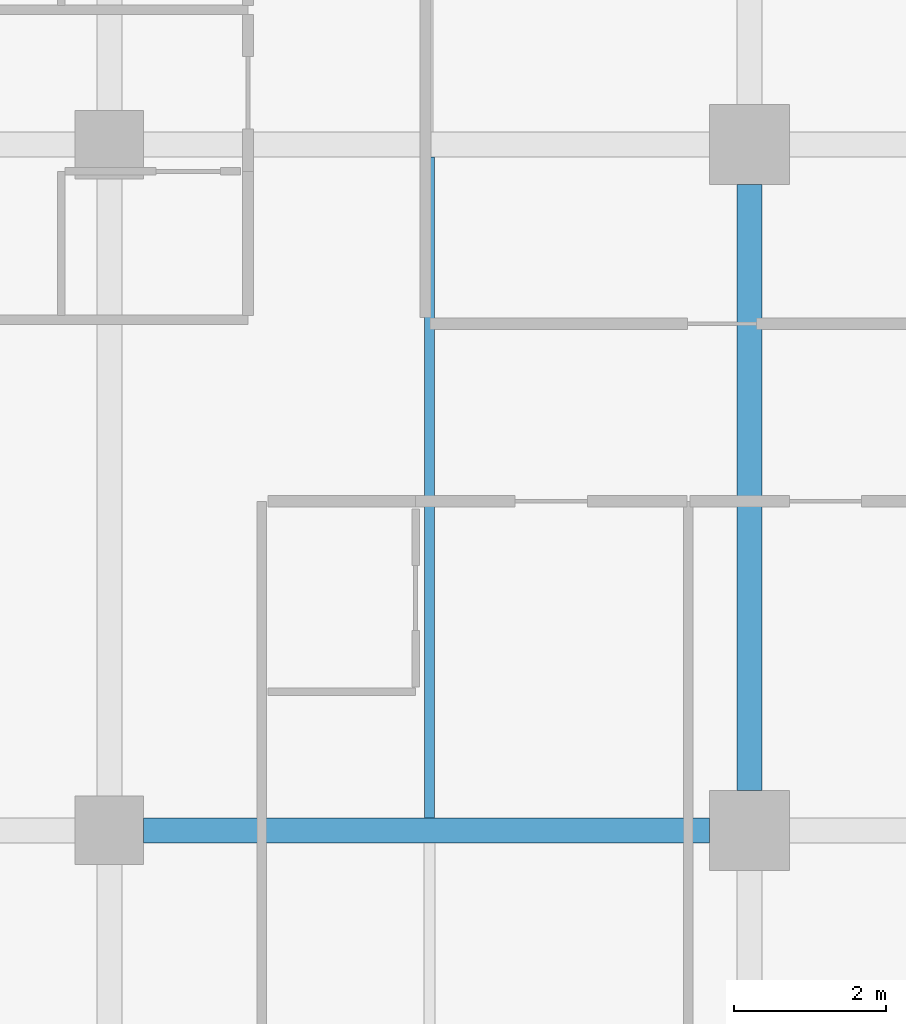
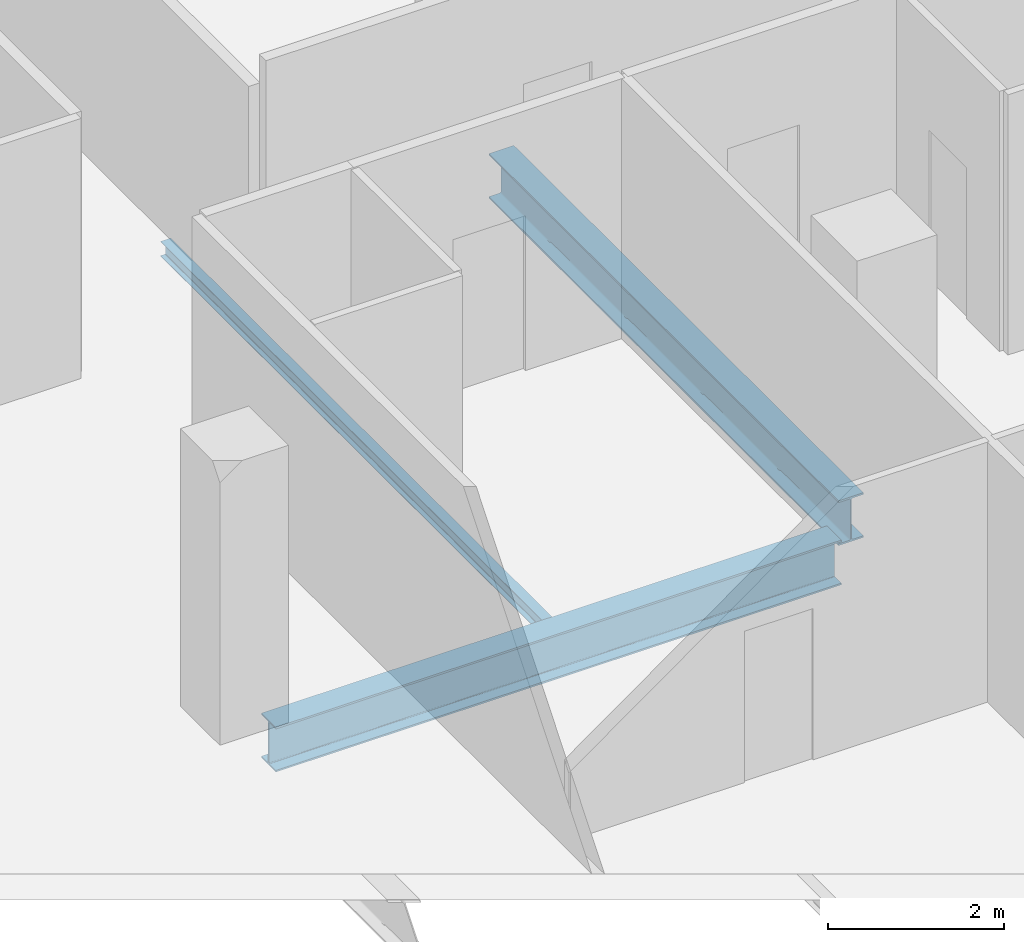
# One storey, part 6 of 40: 3 beams.
"""IFC4 building model written with IfcOpenShell, lengths in metres."""

from ifc_helpers import new_model, si_unit, direction, frame, origin, origin_2d, place, context, subcontext, project, spatial, i_section, extrude, material, material_profile, profile_set, type_object, element, save


model = new_model("IFC4")

# Units and contexts
model_context = context("Model", 3, precision=1e-05, world=origin(), true_north=direction((0.0, 1.0)))
body_context = subcontext(model_context, "Body", "Model", "MODEL_VIEW")
ifc_project = project(units=[si_unit("LENGTHUNIT", "METRE"), si_unit("AREAUNIT", "SQUARE_METRE"), si_unit("VOLUMEUNIT", "CUBIC_METRE"), si_unit("PLANEANGLEUNIT", "RADIAN"), si_unit("MASSUNIT", "GRAM", prefix="KILO")], contexts=[model_context])

# Site, building, storey
site_placement = place(None, origin())
site = spatial("IfcSite", under=ifc_project, at=site_placement, CompositionType="ELEMENT")
building_placement = place(site_placement, origin())
building = spatial("IfcBuilding", under=site, at=building_placement, Name="Maruvema Waterfront Hotel and Observation Tower", CompositionType="ELEMENT")
storey_placement = place(building_placement, frame((0.0, 0.0, 53.89990234375)))
storey = spatial("IfcBuildingStorey", under=building, at=storey_placement, Name="L12", CompositionType="ELEMENT", Elevation=53.89990234375)

# Beams
ifc_material_1 = material(Name="Steel ASTM A572 Grade 50", Category="steel")
ifc_material_profile_1 = material_profile(ifc_material_1, i_section(OverallWidth=0.326904296875, OverallDepth=0.6220703125, WebThickness=0.015380859375, FlangeThickness=0.0244140625, FilletRadius=0.01806640625, at=origin_2d()), Name="W610x195.0")
ifc_profile_set_1 = profile_set([ifc_material_profile_1], Name="Steel ASTM A572 Grade 50")
beam_type_1 = type_object("IfcBeamType", Name="Primary Floor Girder W610x195.0", PredefinedType="BEAM", material=ifc_profile_set_1)
beam_1_placement = place(storey_placement, frame((17.25, 9.0, -0.55078125), z_axis=(1.0, 0.0, 0.0), x_axis=(0.0, 1.0, 0.0)))
element("IfcBeam", 1, at=beam_1_placement, inside=storey, type_object=beam_type_1, Name="L12 Floor Girder EW-07", PredefinedType="BEAM", context=body_context, shape_type="SweptSolid", body=[
    extrude(i_section(OverallWidth=0.326904296875, OverallDepth=0.6220703125, WebThickness=0.015380859375, FlangeThickness=0.0244140625, FilletRadius=0.01806640625, at=origin_2d()), origin(), (0.0, 0.0, 1.0), 7.425048828125),
])
beam_2_placement = place(storey_placement, frame((25.199951171875, 9.52490234375, -0.55078125), z_axis=(0.0, 1.0, 0.0), x_axis=(-1.0, 0.0, 0.0)))
element("IfcBeam", 2, at=beam_2_placement, inside=storey, type_object=beam_type_1, Name="L12 Floor Girder NS-12", PredefinedType="BEAM", context=body_context, shape_type="SweptSolid", body=[
    extrude(i_section(OverallWidth=0.326904296875, OverallDepth=0.6220703125, WebThickness=0.015380859375, FlangeThickness=0.0244140625, FilletRadius=0.01806640625, at=origin_2d()), origin(), (0.0, 0.0, 1.0), 7.9501953125),
])
ifc_material_2 = material(Name="Steel ASTM A572 Grade 50", Category="steel")
ifc_material_profile_2 = material_profile(ifc_material_2, i_section(OverallWidth=0.133056640625, OverallDepth=0.20703125, WebThickness=0.005859375, FlangeThickness=0.00830078125, FilletRadius=0.010009765625, at=origin_2d()), Name="W200x26.6")
ifc_profile_set_2 = profile_set([ifc_material_profile_2], Name="Steel ASTM A572 Grade 50")
beam_type_2 = type_object("IfcBeamType", Name="Secondary Floor Joist W200x26.6", PredefinedType="JOIST", material=ifc_profile_set_2)
beam_3_placement = place(storey_placement, frame((21.0, 9.16357421875, -0.343505859375), z_axis=(0.0, 1.0, 0.0), x_axis=(-1.0, 0.0, 0.0)))
element("IfcBeam", 3, at=beam_3_placement, inside=storey, type_object=beam_type_2, Name="L12 Secondary Floor Joist JS-06", PredefinedType="JOIST", context=body_context, shape_type="SweptSolid", body=[
    extrude(i_section(OverallWidth=0.133056640625, OverallDepth=0.20703125, WebThickness=0.005859375, FlangeThickness=0.00830078125, FilletRadius=0.010009765625, at=origin_2d()), origin(), (0.0, 0.0, 1.0), 8.6728515625),
])

save(model, "model.ifc")
